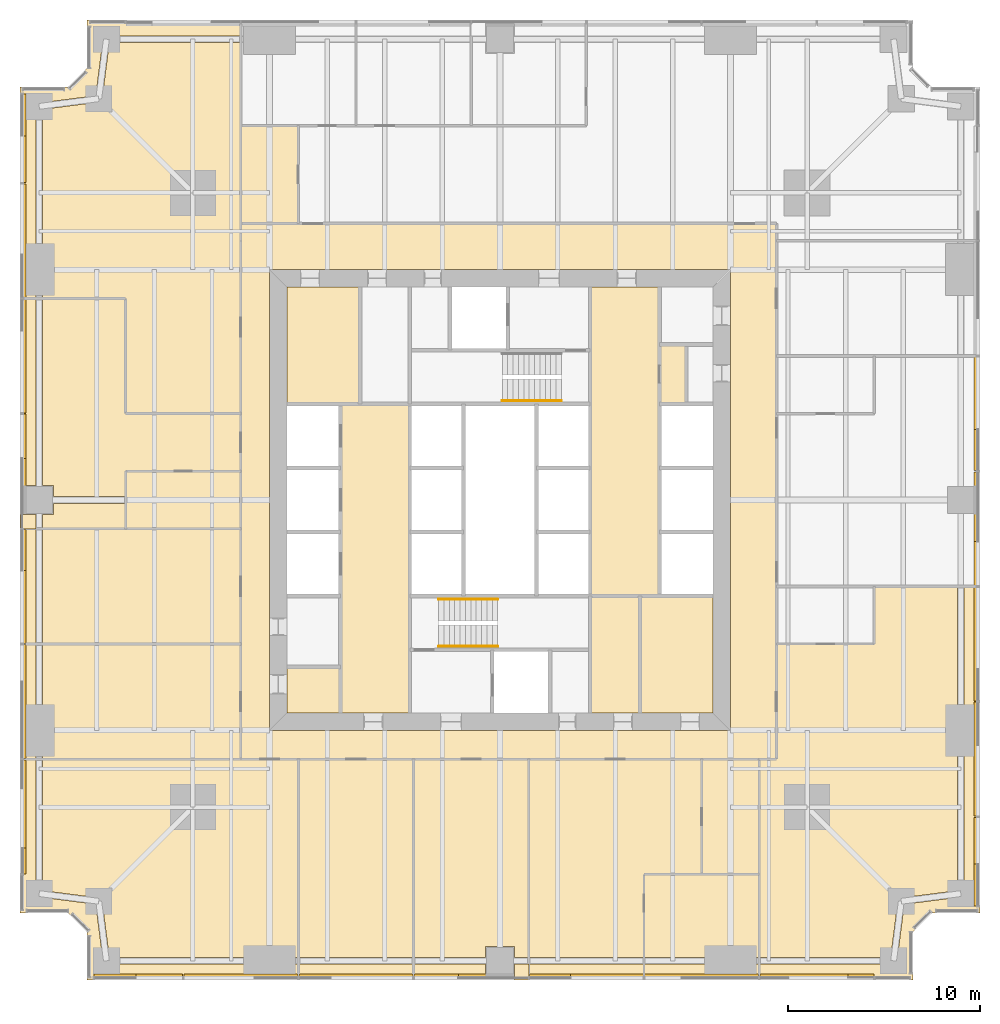
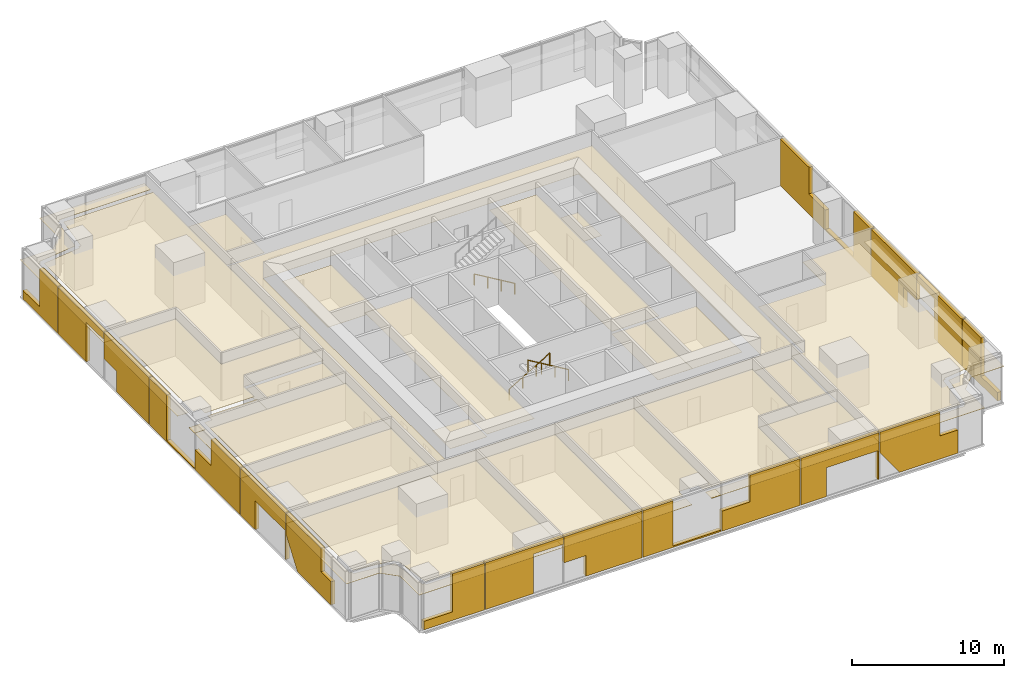
# One storey, part 13 of 14: 53 coverings, 3 railings.
"""IFC4 building model written with IfcOpenShell, lengths in metres."""

from ifc_helpers import new_model, si_unit, direction, frame, origin, origin_2d, place, context, subcontext, project, spatial, polyline, circle, outline, extrude, material, layer, layer_set, type_object, element, save


model = new_model("IFC4")

# Units and contexts
model_context = context("Model", 3, precision=1e-05, world=origin(), true_north=direction((0.0, 1.0)))
body_context = subcontext(model_context, "Body", "Model", "MODEL_VIEW")
ifc_project = project(units=[si_unit("LENGTHUNIT", "METRE"), si_unit("AREAUNIT", "SQUARE_METRE"), si_unit("VOLUMEUNIT", "CUBIC_METRE"), si_unit("PLANEANGLEUNIT", "RADIAN"), si_unit("MASSUNIT", "GRAM", prefix="KILO")], contexts=[model_context])

# Site, building, storey
site_placement = place(None, origin())
site = spatial("IfcSite", under=ifc_project, at=site_placement, CompositionType="ELEMENT")
building_placement = place(site_placement, origin())
building = spatial("IfcBuilding", under=site, at=building_placement, Name="Fenwick Lantern Interchange", CompositionType="ELEMENT")
storey_placement = place(building_placement, frame((0.0, 0.0, 71.0)))
storey = spatial("IfcBuildingStorey", under=building, at=storey_placement, Name="L16", CompositionType="ELEMENT", Elevation=71.0)

# Coverings
ifc_material_1 = material(Name="Mineral fibre acoustic tile on suspended grid")
ifc_layer_1 = layer(ifc_material_1, 0.02001953125)
ifc_layer_set_1 = layer_set([ifc_layer_1], Name="ACOUSTIC TILE CEILING 20")
covering_type_1 = type_object("IfcCoveringType", Name="ACOUSTIC TILE CEILING 20", PredefinedType="CEILING", material=ifc_layer_set_1)
covering_1_placement = place(storey_placement, frame((0.0, 0.0, 2.699951171875)))
element("IfcCovering", 1, at=covering_1_placement, inside=storey, type_object=covering_type_1, Name="Print and copy room ceiling", PredefinedType="CEILING", context=body_context, shape_type="SweptSolid", body=[
    extrude(outline(polyline([(34.699951171875, 33.10009765625), (33.300048828125, 33.10009765625), (33.300048828125, 30.0), (34.699951171875, 30.0), (34.699951171875, 33.10009765625)])), origin(), (0.0, 0.0, 1.0), 0.02001953125),
])
covering_2_placement = place(storey_placement, frame((0.0, 0.0, 2.89990234375)))
element("IfcCovering", 2, at=covering_2_placement, inside=storey, type_object=covering_type_1, Name="Office suite ceiling", PredefinedType="CEILING", context=body_context, shape_type="SweptSolid", body=[
    extrude(outline(polyline([(14.5, 11.5), (1.17236328125, 11.5), (1.17236328125, 4.651611328125), (4.1220703125, 4.27099609375), (4.10009765625, 4.10009765625), (4.27099609375, 4.1220703125), (4.651611328125, 1.17236328125), (13.0, 1.17236328125), (14.5, 1.17236328125), (14.5, 11.5)])), origin(), (0.0, 0.0, 1.0), 0.02001953125),
])
covering_3_placement = place(storey_placement, frame((0.0, 0.0, 2.89990234375)))
element("IfcCovering", 3, at=covering_3_placement, inside=storey, type_object=covering_type_1, Name="Office suite ceiling", PredefinedType="CEILING", context=body_context, shape_type="SweptSolid", body=[
    extrude(outline(polyline([(3.5, 2.5), (3.5, 0.0), (14.5, 0.0), (14.5, 0.82763671875), (13.0, 0.82763671875), (4.5, 0.82763671875), (4.5, 1.0), (4.3291015625, 0.97802734375), (3.946044921875, 3.946044921875), (0.97802734375, 4.3291015625), (1.0, 4.5), (0.82763671875, 4.5), (0.82763671875, 11.5), (0.0, 11.5), (0.0, 3.5), (2.5, 3.5), (3.5, 2.5)])), origin(), (0.0, 0.0, 1.0), 0.02001953125),
])
covering_4_placement = place(storey_placement, frame((0.0, 0.0, 2.89990234375)))
element("IfcCovering", 4, at=covering_4_placement, inside=storey, type_object=covering_type_1, Name="Office suite ceiling", PredefinedType="CEILING", context=body_context, shape_type="SweptSolid", body=[
    extrude(outline(polyline([(14.5, 11.5), (14.5, 1.17236328125), (20.5, 1.17236328125), (20.5, 11.5), (14.5, 11.5)])), origin(), (0.0, 0.0, 1.0), 0.02001953125),
])
covering_5_placement = place(storey_placement, frame((0.0, 0.0, 2.89990234375)))
element("IfcCovering", 5, at=covering_5_placement, inside=storey, type_object=covering_type_1, Name="Office suite ceiling", PredefinedType="CEILING", context=body_context, shape_type="SweptSolid", body=[
    extrude(outline(polyline([(14.5, 0.0), (20.5, 0.0), (20.5, 0.82763671875), (14.5, 0.82763671875), (14.5, 0.0)])), origin(), (0.0, 0.0, 1.0), 0.02001953125),
])
covering_6_placement = place(storey_placement, frame((0.0, 0.0, 2.89990234375)))
element("IfcCovering", 6, at=covering_6_placement, inside=storey, type_object=covering_type_1, Name="Office suite ceiling", PredefinedType="CEILING", context=body_context, shape_type="SweptSolid", body=[
    extrude(outline(polyline([(25.75, 1.75), (25.75, 1.17236328125), (26.5, 1.17236328125), (26.5, 11.5), (20.5, 11.5), (20.5, 1.17236328125), (24.25, 1.17236328125), (24.25, 1.75), (25.75, 1.75)])), origin(), (0.0, 0.0, 1.0), 0.02001953125),
])
covering_7_placement = place(storey_placement, frame((0.0, 0.0, 2.89990234375)))
element("IfcCovering", 7, at=covering_7_placement, inside=storey, type_object=covering_type_1, Name="Office suite ceiling", PredefinedType="CEILING", context=body_context, shape_type="SweptSolid", body=[
    extrude(outline(polyline([(24.25, 0.0), (24.25, 0.82763671875), (20.5, 0.82763671875), (20.5, 0.0), (24.25, 0.0)])), origin(), (0.0, 0.0, 1.0), 0.02001953125),
])
covering_8_placement = place(storey_placement, frame((0.0, 0.0, 2.89990234375)))
element("IfcCovering", 8, at=covering_8_placement, inside=storey, type_object=covering_type_1, Name="Office suite ceiling", PredefinedType="CEILING", context=body_context, shape_type="SweptSolid", body=[
    extrude(outline(polyline([(25.75, 0.82763671875), (25.75, 0.0), (26.5, 0.0), (26.5, 0.82763671875), (25.75, 0.82763671875)])), origin(), (0.0, 0.0, 1.0), 0.02001953125),
])
covering_9_placement = place(storey_placement, frame((0.0, 0.0, 2.89990234375)))
element("IfcCovering", 9, at=covering_9_placement, inside=storey, type_object=covering_type_1, Name="Office suite ceiling", PredefinedType="CEILING", context=body_context, shape_type="SweptSolid", body=[
    extrude(outline(polyline([(26.5, 11.5), (26.5, 1.17236328125), (32.5, 1.17236328125), (32.5, 5.5), (35.5, 5.5), (35.5, 11.5), (26.5, 11.5)])), origin(), (0.0, 0.0, 1.0), 0.02001953125),
])
covering_10_placement = place(storey_placement, frame((0.0, 0.0, 2.89990234375)))
element("IfcCovering", 10, at=covering_10_placement, inside=storey, type_object=covering_type_1, Name="Office suite ceiling", PredefinedType="CEILING", context=body_context, shape_type="SweptSolid", body=[
    extrude(outline(polyline([(26.5, 0.0), (32.5, 0.0), (32.5, 0.82763671875), (26.5, 0.82763671875), (26.5, 0.0)])), origin(), (0.0, 0.0, 1.0), 0.02001953125),
])
covering_11_placement = place(storey_placement, frame((0.0, 0.0, 2.89990234375)))
element("IfcCovering", 11, at=covering_11_placement, inside=storey, type_object=covering_type_1, Name="Office ceiling", PredefinedType="CEILING", context=body_context, shape_type="SweptSolid", body=[
    extrude(outline(polyline([(32.5, 5.5), (32.5, 1.17236328125), (37.0, 1.17236328125), (38.5, 1.17236328125), (38.5, 5.5), (32.5, 5.5)])), origin(), (0.0, 0.0, 1.0), 0.02001953125),
])
covering_12_placement = place(storey_placement, frame((0.0, 0.0, 2.89990234375)))
element("IfcCovering", 12, at=covering_12_placement, inside=storey, type_object=covering_type_1, Name="Office ceiling", PredefinedType="CEILING", context=body_context, shape_type="SweptSolid", body=[
    extrude(outline(polyline([(38.5, 0.0), (38.5, 0.82763671875), (37.0, 0.82763671875), (32.5, 0.82763671875), (32.5, 0.0), (38.5, 0.0)])), origin(), (0.0, 0.0, 1.0), 0.02001953125),
])
covering_13_placement = place(storey_placement, frame((0.0, 0.0, 2.89990234375)))
element("IfcCovering", 13, at=covering_13_placement, inside=storey, type_object=covering_type_1, Name="Office suite ceiling", PredefinedType="CEILING", context=body_context, shape_type="SweptSolid", body=[
    extrude(outline(polyline([(48.82763671875, 20.5), (44.5, 20.5), (44.5, 17.5), (39.39990234375, 17.5), (39.39990234375, 11.5), (38.5, 11.5), (38.5, 1.17236328125), (45.348388671875, 1.17236328125), (45.72900390625, 4.1220703125), (45.89990234375, 4.10009765625), (45.8779296875, 4.27099609375), (48.82763671875, 4.651611328125), (48.82763671875, 13.0), (48.82763671875, 20.5)])), origin(), (0.0, 0.0, 1.0), 0.02001953125),
])
covering_14_placement = place(storey_placement, frame((0.0, 0.0, 2.89990234375)))
element("IfcCovering", 14, at=covering_14_placement, inside=storey, type_object=covering_type_1, Name="Office suite ceiling", PredefinedType="CEILING", context=body_context, shape_type="SweptSolid", body=[
    extrude(outline(polyline([(50.0, 20.5), (49.17236328125, 20.5), (49.17236328125, 13.0), (49.17236328125, 4.5), (49.0, 4.5), (49.02197265625, 4.3291015625), (46.053955078125, 3.946044921875), (45.6708984375, 0.97802734375), (45.5, 1.0), (45.5, 0.82763671875), (38.5, 0.82763671875), (38.5, 0.0), (46.5, 0.0), (46.5, 2.5), (47.5, 3.5), (50.0, 3.5), (50.0, 20.5)])), origin(), (0.0, 0.0, 1.0), 0.02001953125),
])
covering_15_placement = place(storey_placement, frame((0.0, 0.0, 2.89990234375)))
element("IfcCovering", 15, at=covering_15_placement, inside=storey, type_object=covering_type_1, Name="Office suite ceiling", PredefinedType="CEILING", context=body_context, shape_type="SweptSolid", body=[
    extrude(outline(polyline([(11.5, 29.5), (11.5, 48.82763671875), (4.651611328125, 48.82763671875), (4.27099609375, 45.8779296875), (4.10009765625, 45.89990234375), (4.1220703125, 45.72900390625), (1.17236328125, 45.348388671875), (1.17236328125, 37.0), (1.17236328125, 35.5), (5.5, 35.5), (5.5, 29.5), (11.5, 29.5)])), origin(), (0.0, 0.0, 1.0), 0.02001953125),
])
covering_16_placement = place(storey_placement, frame((0.0, 0.0, 2.89990234375)))
element("IfcCovering", 16, at=covering_16_placement, inside=storey, type_object=covering_type_1, Name="Office suite ceiling", PredefinedType="CEILING", context=body_context, shape_type="SweptSolid", body=[
    extrude(outline(polyline([(3.5, 47.5), (2.5, 46.5), (0.0, 46.5), (0.0, 35.5), (0.82763671875, 35.5), (0.82763671875, 37.0), (0.82763671875, 45.5), (1.0, 45.5), (0.97802734375, 45.6708984375), (3.946044921875, 46.053955078125), (4.3291015625, 49.02197265625), (4.5, 49.0), (4.5, 49.17236328125), (11.5, 49.17236328125), (11.5, 50.0), (3.5, 50.0), (3.5, 47.5)])), origin(), (0.0, 0.0, 1.0), 0.02001953125),
])
covering_17_placement = place(storey_placement, frame((0.0, 0.0, 2.89990234375)))
element("IfcCovering", 17, at=covering_17_placement, inside=storey, type_object=covering_type_1, Name="Office suite ceiling", PredefinedType="CEILING", context=body_context, shape_type="SweptSolid", body=[
    extrude(outline(polyline([(5.5, 29.5), (5.5, 35.5), (1.17236328125, 35.5), (1.17236328125, 25.75), (1.75, 25.75), (1.75, 25.175048828125), (5.5, 25.175048828125), (5.5, 26.5), (11.5, 26.5), (11.5, 29.5), (5.5, 29.5)])), origin(), (0.0, 0.0, 1.0), 0.02001953125),
])
covering_18_placement = place(storey_placement, frame((0.0, 0.0, 2.89990234375)))
element("IfcCovering", 18, at=covering_18_placement, inside=storey, type_object=covering_type_1, Name="Office suite ceiling", PredefinedType="CEILING", context=body_context, shape_type="SweptSolid", body=[
    extrude(outline(polyline([(0.0, 25.75), (0.82763671875, 25.75), (0.82763671875, 35.5), (0.0, 35.5), (0.0, 25.75)])), origin(), (0.0, 0.0, 1.0), 0.02001953125),
])
covering_19_placement = place(storey_placement, frame((0.0, 0.0, 2.89990234375)))
element("IfcCovering", 19, at=covering_19_placement, inside=storey, type_object=covering_type_1, Name="Office suite ceiling", PredefinedType="CEILING", context=body_context, shape_type="SweptSolid", body=[
    extrude(outline(polyline([(5.5, 23.5), (5.5, 24.824951171875), (1.75, 24.824951171875), (1.75, 24.25), (1.17236328125, 24.25), (1.17236328125, 23.5), (5.5, 23.5)])), origin(), (0.0, 0.0, 1.0), 0.02001953125),
])
covering_20_placement = place(storey_placement, frame((0.0, 0.0, 2.89990234375)))
element("IfcCovering", 20, at=covering_20_placement, inside=storey, type_object=covering_type_1, Name="Office suite ceiling", PredefinedType="CEILING", context=body_context, shape_type="SweptSolid", body=[
    extrude(outline(polyline([(0.0, 23.5), (0.82763671875, 23.5), (0.82763671875, 24.25), (0.0, 24.25), (0.0, 23.5)])), origin(), (0.0, 0.0, 1.0), 0.02001953125),
])
covering_21_placement = place(storey_placement, frame((0.0, 0.0, 2.699951171875)))
element("IfcCovering", 21, at=covering_21_placement, inside=storey, type_object=covering_type_1, Name="Quiet room ceiling", PredefinedType="CEILING", context=body_context, shape_type="SweptSolid", body=[
    extrude(outline(polyline([(5.5, 26.5), (5.5, 23.5), (11.5, 23.5), (11.5, 26.5), (5.5, 26.5)])), origin(), (0.0, 0.0, 1.0), 0.02001953125),
])
covering_22_placement = place(storey_placement, frame((0.0, 0.0, 2.89990234375)))
element("IfcCovering", 22, at=covering_22_placement, inside=storey, type_object=covering_type_1, Name="Office suite ceiling", PredefinedType="CEILING", context=body_context, shape_type="SweptSolid", body=[
    extrude(outline(polyline([(11.5, 23.5), (1.17236328125, 23.5), (1.17236328125, 17.5), (11.5, 17.5), (11.5, 23.5)])), origin(), (0.0, 0.0, 1.0), 0.02001953125),
])
covering_23_placement = place(storey_placement, frame((0.0, 0.0, 2.89990234375)))
element("IfcCovering", 23, at=covering_23_placement, inside=storey, type_object=covering_type_1, Name="Office suite ceiling", PredefinedType="CEILING", context=body_context, shape_type="SweptSolid", body=[
    extrude(outline(polyline([(0.0, 23.5), (0.0, 17.5), (0.82763671875, 17.5), (0.82763671875, 23.5), (0.0, 23.5)])), origin(), (0.0, 0.0, 1.0), 0.02001953125),
])
covering_24_placement = place(storey_placement, frame((0.0, 0.0, 2.89990234375)))
element("IfcCovering", 24, at=covering_24_placement, inside=storey, type_object=covering_type_1, Name="Office suite ceiling", PredefinedType="CEILING", context=body_context, shape_type="SweptSolid", body=[
    extrude(outline(polyline([(11.5, 17.5), (1.17236328125, 17.5), (1.17236328125, 13.0), (1.17236328125, 11.5), (11.5, 11.5), (11.5, 17.5)])), origin(), (0.0, 0.0, 1.0), 0.02001953125),
])
covering_25_placement = place(storey_placement, frame((0.0, 0.0, 2.89990234375)))
element("IfcCovering", 25, at=covering_25_placement, inside=storey, type_object=covering_type_1, Name="Office suite ceiling", PredefinedType="CEILING", context=body_context, shape_type="SweptSolid", body=[
    extrude(outline(polyline([(0.0, 17.5), (0.0, 11.5), (0.82763671875, 11.5), (0.82763671875, 13.0), (0.82763671875, 17.5), (0.0, 17.5)])), origin(), (0.0, 0.0, 1.0), 0.02001953125),
])
ifc_material_2 = material(Name="Granite cladding, warm grey flamed finish, on aluminium carrier frame", Category="masonry")
ifc_layer_2 = layer(ifc_material_2, 0.300048828125)
ifc_layer_set_2 = layer_set([ifc_layer_2], Name="BRACE CASING PANEL 300")
covering_type_2 = type_object("IfcCoveringType", Name="BRACE CASING PANEL 300", PredefinedType="CLADDING", material=ifc_layer_set_2)
covering_26_placement = place(storey_placement, frame((3.60009765625, 0.10009765625, 0.0), z_axis=(0.0, 0.0, 1.0), x_axis=(1.0, 0.0, 0.0)))
element("IfcCovering", 26, at=covering_26_placement, inside=storey, type_object=covering_type_2, Name="Brace casing 01 bay 00a", PredefinedType="CLADDING", context=body_context, shape_type="SweptSolid", body=[
    extrude(outline(polyline([(0.264892578125, 0.0), (4.867431640625, 0.0), (4.867431640625, 3.75), (2.43994140625, 3.75), (2.43994140625, 0.68212890625), (0.264892578125, 0.68212890625), (0.264892578125, 0.0)])), frame((0.0, 0.2001953125, 0.0), z_axis=(0.0, -1.0, 0.0), x_axis=(1.0, 0.0, 0.0)), (0.0, 0.0, 1.0), 0.300048828125),
])
covering_27_placement = place(storey_placement, frame((3.60009765625, 0.10009765625, 0.0), z_axis=(0.0, 0.0, 1.0), x_axis=(1.0, 0.0, 0.0)))
element("IfcCovering", 27, at=covering_27_placement, inside=storey, type_object=covering_type_2, Name="Brace casing 01 bay 01a", PredefinedType="CLADDING", context=body_context, shape_type="SweptSolid", body=[
    extrude(outline(polyline([(4.9326171875, 0.0), (8.618408203125, 0.0), (8.618408203125, 3.176513671875), (10.867431640625, 3.176513671875), (10.867431640625, 3.75), (4.9326171875, 3.75), (4.9326171875, 0.0)])), frame((0.0, 0.2001953125, 0.0), z_axis=(0.0, -1.0, 0.0), x_axis=(1.0, 0.0, 0.0)), (0.0, 0.0, 1.0), 0.300048828125),
])
covering_28_placement = place(storey_placement, frame((3.60009765625, 0.10009765625, 0.0), z_axis=(0.0, 0.0, 1.0), x_axis=(1.0, 0.0, 0.0)))
element("IfcCovering", 28, at=covering_28_placement, inside=storey, type_object=covering_type_2, Name="Brace casing 01 bay 02a", PredefinedType="CLADDING", context=body_context, shape_type="SweptSolid", body=[
    extrude(outline(polyline([(12.592529296875, 0.0), (16.867431640625, 0.0), (16.867431640625, 3.75), (10.9326171875, 3.75), (10.9326171875, 1.656005859375), (12.592529296875, 1.656005859375), (12.592529296875, 0.0)])), frame((0.0, 0.2001953125, 0.0), z_axis=(0.0, -1.0, 0.0), x_axis=(1.0, 0.0, 0.0)), (0.0, 0.0, 1.0), 0.300048828125),
])
covering_29_placement = place(storey_placement, frame((3.60009765625, 0.10009765625, 0.0), z_axis=(0.0, 0.0, 1.0), x_axis=(1.0, 0.0, 0.0)))
element("IfcCovering", 29, at=covering_29_placement, inside=storey, type_object=covering_type_2, Name="Brace casing 01 bay 03a", PredefinedType="CLADDING", context=body_context, shape_type="SweptSolid", body=[
    extrude(outline(polyline([(16.9326171875, 0.0), (22.867431640625, 0.0), (22.867431640625, 0.112060546875), (19.2275390625, 0.112060546875), (19.2275390625, 3.75), (16.9326171875, 3.75), (16.9326171875, 0.0)])), frame((0.0, 0.2001953125, 0.0), z_axis=(0.0, -1.0, 0.0), x_axis=(1.0, 0.0, 0.0)), (0.0, 0.0, 1.0), 0.300048828125),
])
covering_30_placement = place(storey_placement, frame((3.60009765625, 0.10009765625, 0.0), z_axis=(0.0, 0.0, 1.0), x_axis=(1.0, 0.0, 0.0)))
element("IfcCovering", 30, at=covering_30_placement, inside=storey, type_object=covering_type_2, Name="Brace casing 01 bay 04a", PredefinedType="CLADDING", context=body_context, shape_type="SweptSolid", body=[
    extrude(outline(polyline([(22.9326171875, 0.0), (28.867431640625, 0.0), (28.867431640625, 3.75), (25.072509765625, 3.75), (25.072509765625, 1.612060546875), (22.9326171875, 1.612060546875), (22.9326171875, 0.0)])), frame((0.0, 0.2001953125, 0.0), z_axis=(0.0, -1.0, 0.0), x_axis=(1.0, 0.0, 0.0)), (0.0, 0.0, 1.0), 0.300048828125),
])
covering_31_placement = place(storey_placement, frame((3.60009765625, 0.10009765625, 0.0), z_axis=(0.0, 0.0, 1.0), x_axis=(1.0, 0.0, 0.0)))
element("IfcCovering", 31, at=covering_31_placement, inside=storey, type_object=covering_type_2, Name="Brace casing 01 bay 05a", PredefinedType="CLADDING", context=body_context, shape_type="SweptSolid", body=[
    extrude(outline(polyline([(28.9326171875, 0.0), (30.87255859375, 0.0), (30.87255859375, 2.321044921875), (34.78759765625, 2.321044921875), (34.78759765625, 0.0), (34.867431640625, 0.0), (34.867431640625, 3.75), (28.9326171875, 3.75), (28.9326171875, 0.0)])), frame((0.0, 0.2001953125, 0.0), z_axis=(0.0, -1.0, 0.0), x_axis=(1.0, 0.0, 0.0)), (0.0, 0.0, 1.0), 0.300048828125),
])
covering_32_placement = place(storey_placement, frame((3.60009765625, 0.10009765625, 0.0), z_axis=(0.0, 0.0, 1.0), x_axis=(1.0, 0.0, 0.0)))
element("IfcCovering", 32, at=covering_32_placement, inside=storey, type_object=covering_type_2, Name="Brace casing 01 bay 06a", PredefinedType="CLADDING", context=body_context, shape_type="SweptSolid", body=[
    extrude(outline(polyline([(36.431640625, 0.0), (40.867431640625, 0.0), (40.867431640625, 1.858154296875), (39.52685546875, 1.858154296875), (39.52685546875, 3.75), (34.9326171875, 3.75), (34.9326171875, 2.116455078125), (36.431640625, 0.0)])), frame((0.0, 0.2001953125, 0.0), z_axis=(0.0, -1.0, 0.0), x_axis=(1.0, 0.0, 0.0)), (0.0, 0.0, 1.0), 0.300048828125),
])
covering_33_placement = place(storey_placement, frame((49.89990234375, 3.60009765625, 0.0), z_axis=(0.0, 0.0, 1.0), x_axis=(0.0, 1.0, 0.0)))
element("IfcCovering", 33, at=covering_33_placement, inside=storey, type_object=covering_type_2, Name="Brace casing 05 bay 00a", PredefinedType="CLADDING", context=body_context, shape_type="SweptSolid", body=[
    extrude(outline(polyline([(0.264892578125, 0.0), (4.867431640625, 0.0), (4.867431640625, 3.75), (2.43994140625, 3.75), (2.43994140625, 0.68212890625), (0.264892578125, 0.68212890625), (0.264892578125, 0.0)])), frame((0.0, 0.2001953125, 0.0), z_axis=(0.0, -1.0, 0.0), x_axis=(1.0, 0.0, 0.0)), (0.0, 0.0, 1.0), 0.300048828125),
])
covering_34_placement = place(storey_placement, frame((49.89990234375, 3.60009765625, 0.0), z_axis=(0.0, 0.0, 1.0), x_axis=(0.0, 1.0, 0.0)))
element("IfcCovering", 34, at=covering_34_placement, inside=storey, type_object=covering_type_2, Name="Brace casing 05 bay 01a", PredefinedType="CLADDING", context=body_context, shape_type="SweptSolid", body=[
    extrude(outline(polyline([(4.9326171875, 0.0), (8.618408203125, 0.0), (8.618408203125, 3.176513671875), (10.867431640625, 3.176513671875), (10.867431640625, 3.75), (4.9326171875, 3.75), (4.9326171875, 0.0)])), frame((0.0, 0.2001953125, 0.0), z_axis=(0.0, -1.0, 0.0), x_axis=(1.0, 0.0, 0.0)), (0.0, 0.0, 1.0), 0.300048828125),
])
covering_35_placement = place(storey_placement, frame((49.89990234375, 3.60009765625, 0.0), z_axis=(0.0, 0.0, 1.0), x_axis=(0.0, 1.0, 0.0)))
element("IfcCovering", 35, at=covering_35_placement, inside=storey, type_object=covering_type_2, Name="Brace casing 05 bay 02a", PredefinedType="CLADDING", context=body_context, shape_type="SweptSolid", body=[
    extrude(outline(polyline([(12.592529296875, 0.0), (16.867431640625, 0.0), (16.867431640625, 3.75), (10.9326171875, 3.75), (10.9326171875, 1.656005859375), (12.592529296875, 1.656005859375), (12.592529296875, 0.0)])), frame((0.0, 0.2001953125, 0.0), z_axis=(0.0, -1.0, 0.0), x_axis=(1.0, 0.0, 0.0)), (0.0, 0.0, 1.0), 0.300048828125),
])
covering_36_placement = place(storey_placement, frame((49.89990234375, 3.60009765625, 0.0), z_axis=(0.0, 0.0, 1.0), x_axis=(0.0, 1.0, 0.0)))
element("IfcCovering", 36, at=covering_36_placement, inside=storey, type_object=covering_type_2, Name="Brace casing 05 bay 03a", PredefinedType="CLADDING", context=body_context, shape_type="SweptSolid", body=[
    extrude(outline(polyline([(16.9326171875, 0.0), (22.867431640625, 0.0), (22.867431640625, 0.112060546875), (19.2275390625, 0.112060546875), (19.2275390625, 3.75), (16.9326171875, 3.75), (16.9326171875, 0.0)])), frame((0.0, 0.2001953125, 0.0), z_axis=(0.0, -1.0, 0.0), x_axis=(1.0, 0.0, 0.0)), (0.0, 0.0, 1.0), 0.300048828125),
])
covering_37_placement = place(storey_placement, frame((49.89990234375, 3.60009765625, 0.0), z_axis=(0.0, 0.0, 1.0), x_axis=(0.0, 1.0, 0.0)))
element("IfcCovering", 37, at=covering_37_placement, inside=storey, type_object=covering_type_2, Name="Brace casing 05 bay 04a", PredefinedType="CLADDING", context=body_context, shape_type="SweptSolid", body=[
    extrude(outline(polyline([(22.9326171875, 0.0), (28.867431640625, 0.0), (28.867431640625, 3.75), (25.072509765625, 3.75), (25.072509765625, 1.612060546875), (22.9326171875, 1.612060546875), (22.9326171875, 0.0)])), frame((0.0, 0.2001953125, 0.0), z_axis=(0.0, -1.0, 0.0), x_axis=(1.0, 0.0, 0.0)), (0.0, 0.0, 1.0), 0.300048828125),
])
covering_38_placement = place(storey_placement, frame((0.10009765625, 46.39990234375, 0.0), z_axis=(0.0, 0.0, 1.0), x_axis=(0.0, -1.0, 0.0)))
element("IfcCovering", 38, at=covering_38_placement, inside=storey, type_object=covering_type_2, Name="Brace casing 13 bay 00a", PredefinedType="CLADDING", context=body_context, shape_type="SweptSolid", body=[
    extrude(outline(polyline([(0.264892578125, 0.0), (4.867431640625, 0.0), (4.867431640625, 3.75), (2.43994140625, 3.75), (2.43994140625, 0.68212890625), (0.264892578125, 0.68212890625), (0.264892578125, 0.0)])), frame((0.0, 0.2001953125, 0.0), z_axis=(0.0, -1.0, 0.0), x_axis=(1.0, 0.0, 0.0)), (0.0, 0.0, 1.0), 0.300048828125),
])
covering_39_placement = place(storey_placement, frame((0.10009765625, 46.39990234375, 0.0), z_axis=(0.0, 0.0, 1.0), x_axis=(0.0, -1.0, 0.0)))
element("IfcCovering", 39, at=covering_39_placement, inside=storey, type_object=covering_type_2, Name="Brace casing 13 bay 01a", PredefinedType="CLADDING", context=body_context, shape_type="SweptSolid", body=[
    extrude(outline(polyline([(4.9326171875, 0.0), (8.618408203125, 0.0), (8.618408203125, 3.176513671875), (10.867431640625, 3.176513671875), (10.867431640625, 3.75), (4.9326171875, 3.75), (4.9326171875, 0.0)])), frame((0.0, 0.2001953125, 0.0), z_axis=(0.0, -1.0, 0.0), x_axis=(1.0, 0.0, 0.0)), (0.0, 0.0, 1.0), 0.300048828125),
])
covering_40_placement = place(storey_placement, frame((0.10009765625, 46.39990234375, 0.0), z_axis=(0.0, 0.0, 1.0), x_axis=(0.0, -1.0, 0.0)))
element("IfcCovering", 40, at=covering_40_placement, inside=storey, type_object=covering_type_2, Name="Brace casing 13 bay 02a", PredefinedType="CLADDING", context=body_context, shape_type="SweptSolid", body=[
    extrude(outline(polyline([(12.592529296875, 0.0), (16.867431640625, 0.0), (16.867431640625, 3.75), (10.9326171875, 3.75), (10.9326171875, 1.656005859375), (12.592529296875, 1.656005859375), (12.592529296875, 0.0)])), frame((0.0, 0.2001953125, 0.0), z_axis=(0.0, -1.0, 0.0), x_axis=(1.0, 0.0, 0.0)), (0.0, 0.0, 1.0), 0.300048828125),
])
covering_41_placement = place(storey_placement, frame((0.10009765625, 46.39990234375, 0.0), z_axis=(0.0, 0.0, 1.0), x_axis=(0.0, -1.0, 0.0)))
element("IfcCovering", 41, at=covering_41_placement, inside=storey, type_object=covering_type_2, Name="Brace casing 13 bay 03a", PredefinedType="CLADDING", context=body_context, shape_type="SweptSolid", body=[
    extrude(outline(polyline([(16.9326171875, 0.0), (22.867431640625, 0.0), (22.867431640625, 0.112060546875), (19.2275390625, 0.112060546875), (19.2275390625, 3.75), (16.9326171875, 3.75), (16.9326171875, 0.0)])), frame((0.0, 0.2001953125, 0.0), z_axis=(0.0, -1.0, 0.0), x_axis=(1.0, 0.0, 0.0)), (0.0, 0.0, 1.0), 0.300048828125),
])
covering_42_placement = place(storey_placement, frame((0.10009765625, 46.39990234375, 0.0), z_axis=(0.0, 0.0, 1.0), x_axis=(0.0, -1.0, 0.0)))
element("IfcCovering", 42, at=covering_42_placement, inside=storey, type_object=covering_type_2, Name="Brace casing 13 bay 04a", PredefinedType="CLADDING", context=body_context, shape_type="SweptSolid", body=[
    extrude(outline(polyline([(22.9326171875, 0.0), (28.867431640625, 0.0), (28.867431640625, 3.75), (25.072509765625, 3.75), (25.072509765625, 1.612060546875), (22.9326171875, 1.612060546875), (22.9326171875, 0.0)])), frame((0.0, 0.2001953125, 0.0), z_axis=(0.0, -1.0, 0.0), x_axis=(1.0, 0.0, 0.0)), (0.0, 0.0, 1.0), 0.300048828125),
])
covering_43_placement = place(storey_placement, frame((0.10009765625, 46.39990234375, 0.0), z_axis=(0.0, 0.0, 1.0), x_axis=(0.0, -1.0, 0.0)))
element("IfcCovering", 43, at=covering_43_placement, inside=storey, type_object=covering_type_2, Name="Brace casing 13 bay 05a", PredefinedType="CLADDING", context=body_context, shape_type="SweptSolid", body=[
    extrude(outline(polyline([(28.9326171875, 0.0), (30.87255859375, 0.0), (30.87255859375, 2.321044921875), (34.78759765625, 2.321044921875), (34.78759765625, 0.0), (34.867431640625, 0.0), (34.867431640625, 3.75), (28.9326171875, 3.75), (28.9326171875, 0.0)])), frame((0.0, 0.2001953125, 0.0), z_axis=(0.0, -1.0, 0.0), x_axis=(1.0, 0.0, 0.0)), (0.0, 0.0, 1.0), 0.300048828125),
])
covering_44_placement = place(storey_placement, frame((0.10009765625, 46.39990234375, 0.0), z_axis=(0.0, 0.0, 1.0), x_axis=(0.0, -1.0, 0.0)))
element("IfcCovering", 44, at=covering_44_placement, inside=storey, type_object=covering_type_2, Name="Brace casing 13 bay 06a", PredefinedType="CLADDING", context=body_context, shape_type="SweptSolid", body=[
    extrude(outline(polyline([(36.431640625, 0.0), (40.867431640625, 0.0), (40.867431640625, 1.858154296875), (39.52685546875, 1.858154296875), (39.52685546875, 3.75), (34.9326171875, 3.75), (34.9326171875, 2.116455078125), (36.431640625, 0.0)])), frame((0.0, 0.2001953125, 0.0), z_axis=(0.0, -1.0, 0.0), x_axis=(1.0, 0.0, 0.0)), (0.0, 0.0, 1.0), 0.300048828125),
])

# Railings
ifc_material_3 = material(Name="Stainless steel handrail", Category="steel")
railing_type = type_object("IfcRailingType", Name="HANDRAIL 900", PredefinedType="HANDRAIL", material=ifc_material_3)
railing_placement = place(storey_placement, frame((21.800048828125, 19.825927734375, 0.166748046875)))
element("IfcRailing", 45, at=railing_placement, inside=storey, type_object=railing_type, Name="L16/STAIR/ST1/HR1", PredefinedType="HANDRAIL", context=body_context, shape_type="SweptSolid", body=[
    extrude(circle(Radius=0.02392578125, at=origin_2d()), frame((0.0, 0.0, 0.8759765625), z_axis=(0.859290745958, 0.0, 0.51148745235), x_axis=(0.0, 1.0, 0.0)), (0.0, 0.0, 1.0), 3.584228515625),
    extrude(circle(Radius=0.02099609375, at=origin_2d()), origin(), (0.0, 0.0, 1.0), 0.851806640625),
    extrude(circle(Radius=0.02099609375, at=origin_2d()), frame((1.026611328125, 0.0, 0.611083984375)), (0.0, 0.0, 1.0), 0.851806640625),
    extrude(circle(Radius=0.02099609375, at=origin_2d()), frame((2.05322265625, 0.0, 1.22216796875)), (0.0, 0.0, 1.0), 0.851806640625),
    extrude(circle(Radius=0.02099609375, at=origin_2d()), frame((3.079833984375, 0.0, 1.833251953125)), (0.0, 0.0, 1.0), 0.851806640625),
])
for number, where, name in (
    (46, (24.8798828125, 17.3740234375, 2.166748046875), "L16/STAIR/ST1/HR2"),
    (47, (28.199951171875, 30.174072265625, 0.166748046875), "L16/STAIR/ST2/HR1"),
):
    element("IfcRailing", number, at=place(storey_placement, frame(where)), inside=storey, type_object=railing_type, Name=name, PredefinedType="HANDRAIL", context=body_context, shape_type="SweptSolid", body=[
        extrude(circle(Radius=0.02392578125, at=origin_2d()), frame((0.0, 0.0, 0.8759765625), z_axis=(-0.859290745958, 0.0, 0.51148745235), x_axis=(0.0, -1.0, 0.0)), (0.0, 0.0, 1.0), 3.584228515625),
        extrude(circle(Radius=0.02099609375, at=origin_2d()), origin(), (0.0, 0.0, 1.0), 0.851806640625),
        extrude(circle(Radius=0.02099609375, at=origin_2d()), frame((-1.026611328125, 0.0, 0.611083984375)), (0.0, 0.0, 1.0), 0.851806640625),
        extrude(circle(Radius=0.02099609375, at=origin_2d()), frame((-2.05322265625, 0.0, 1.22216796875)), (0.0, 0.0, 1.0), 0.851806640625),
        extrude(circle(Radius=0.02099609375, at=origin_2d()), frame((-3.079833984375, 0.0, 1.833251953125)), (0.0, 0.0, 1.0), 0.851806640625),
    ])

# Coverings
ifc_material_4 = material(Name="Moisture resistant gypsum board on suspended frame, painted")
ifc_layer_3 = layer(ifc_material_4, 0.014892578125)
ifc_layer_set_3 = layer_set([ifc_layer_3], Name="MOISTURE RESISTANT CEILING 15")
covering_type_3 = type_object("IfcCoveringType", Name="MOISTURE RESISTANT CEILING 15", PredefinedType="CEILING", material=ifc_layer_set_3)
covering_45_placement = place(storey_placement, frame((0.0, 0.0, 2.60009765625)))
element("IfcCovering", 48, at=covering_45_placement, inside=storey, type_object=covering_type_3, Name="Men's WC ceiling", PredefinedType="CEILING", context=body_context, shape_type="SweptSolid", body=[
    extrude(outline(polyline([(29.699951171875, 13.89990234375), (32.300048828125, 13.89990234375), (32.300048828125, 20.0), (29.699951171875, 20.0), (29.699951171875, 13.89990234375)])), origin(), (0.0, 0.0, 1.0), 0.014892578125),
])
covering_46_placement = place(storey_placement, frame((0.0, 0.0, 2.60009765625)))
element("IfcCovering", 49, at=covering_46_placement, inside=storey, type_object=covering_type_3, Name="Women's WC ceiling", PredefinedType="CEILING", context=body_context, shape_type="SweptSolid", body=[
    extrude(outline(polyline([(32.300048828125, 13.89990234375), (36.10009765625, 13.89990234375), (36.10009765625, 20.0), (32.300048828125, 20.0), (32.300048828125, 13.89990234375)])), origin(), (0.0, 0.0, 1.0), 0.014892578125),
])
covering_47_placement = place(storey_placement, frame((0.0, 0.0, 2.60009765625)))
element("IfcCovering", 50, at=covering_47_placement, inside=storey, type_object=covering_type_3, Name="Accessible WC ceiling", PredefinedType="CEILING", context=body_context, shape_type="SweptSolid", body=[
    extrude(outline(polyline([(13.89990234375, 13.89990234375), (16.699951171875, 13.89990234375), (16.699951171875, 16.300048828125), (13.89990234375, 16.300048828125), (13.89990234375, 13.89990234375)])), origin(), (0.0, 0.0, 1.0), 0.014892578125),
])
covering_48_placement = place(storey_placement, frame((0.0, 0.0, 2.60009765625)))
element("IfcCovering", 51, at=covering_48_placement, inside=storey, type_object=covering_type_3, Name="Women's WC ceiling", PredefinedType="CEILING", context=body_context, shape_type="SweptSolid", body=[
    extrude(outline(polyline([(17.699951171875, 36.10009765625), (13.89990234375, 36.10009765625), (13.89990234375, 30.0), (17.699951171875, 30.0), (17.699951171875, 36.10009765625)])), origin(), (0.0, 0.0, 1.0), 0.014892578125),
])
covering_49_placement = place(storey_placement, frame((0.0, 0.0, 2.699951171875)))
element("IfcCovering", 52, at=covering_49_placement, inside=storey, type_object=covering_type_3, Name="Pantry ceiling", PredefinedType="CEILING", context=body_context, shape_type="SweptSolid", body=[
    extrude(outline(polyline([(35.5, 5.5), (38.5, 5.5), (38.5, 11.5), (35.5, 11.5), (35.5, 5.5)])), origin(), (0.0, 0.0, 1.0), 0.01513671875),
])
covering_50_placement = place(storey_placement, frame((0.0, 0.0, 2.699951171875)))
element("IfcCovering", 53, at=covering_50_placement, inside=storey, type_object=covering_type_3, Name="Pantry ceiling", PredefinedType="CEILING", context=body_context, shape_type="SweptSolid", body=[
    extrude(outline(polyline([(14.5, 44.5), (11.5, 44.5), (11.5, 39.39990234375), (14.5, 39.39990234375), (14.5, 44.5)])), origin(), (0.0, 0.0, 1.0), 0.01513671875),
])
ifc_material_5 = material(Name="Gypsum plasterboard on suspended frame, painted")
ifc_layer_4 = layer(ifc_material_5, 0.014892578125)
ifc_layer_set_4 = layer_set([ifc_layer_4], Name="PLASTERBOARD CEILING 15")
covering_type_4 = type_object("IfcCoveringType", Name="PLASTERBOARD CEILING 15", PredefinedType="CEILING", material=ifc_layer_set_4)
covering_51_placement = place(storey_placement, frame((0.0, 0.0, 2.800048828125)))
element("IfcCovering", 54, at=covering_51_placement, inside=storey, type_object=covering_type_4, Name="Lift lobby ceiling", PredefinedType="CEILING", context=body_context, shape_type="SweptSolid", body=[
    extrude(outline(polyline([(16.699951171875, 13.89990234375), (20.300048828125, 13.89990234375), (20.300048828125, 30.0), (16.699951171875, 30.0), (16.699951171875, 13.89990234375)])), origin(), (0.0, 0.0, 1.0), 0.014892578125),
])
covering_52_placement = place(storey_placement, frame((0.0, 0.0, 2.800048828125)))
element("IfcCovering", 55, at=covering_52_placement, inside=storey, type_object=covering_type_4, Name="Lift lobby ceiling", PredefinedType="CEILING", context=body_context, shape_type="SweptSolid", body=[
    extrude(outline(polyline([(33.300048828125, 36.10009765625), (29.699951171875, 36.10009765625), (29.699951171875, 20.0), (33.300048828125, 20.0), (33.300048828125, 36.10009765625)])), origin(), (0.0, 0.0, 1.0), 0.014892578125),
])
covering_53_placement = place(storey_placement, frame((0.0, 0.0, 2.60009765625)))
element("IfcCovering", 56, at=covering_53_placement, inside=storey, type_object=covering_type_4, Name="Corridor ceiling", PredefinedType="CEILING", context=body_context, shape_type="SweptSolid", body=[
    extrude(outline(polyline([(39.39990234375, 11.5), (39.39990234375, 39.39990234375), (11.5, 39.39990234375), (11.5, 11.5), (39.39990234375, 11.5)]), holes=[polyline([(13.0, 37.0), (37.0, 37.0), (37.0, 13.0), (13.0, 13.0), (13.0, 37.0)])]), origin(), (0.0, 0.0, 1.0), 0.014892578125),
])

save(model, "model.ifc")
